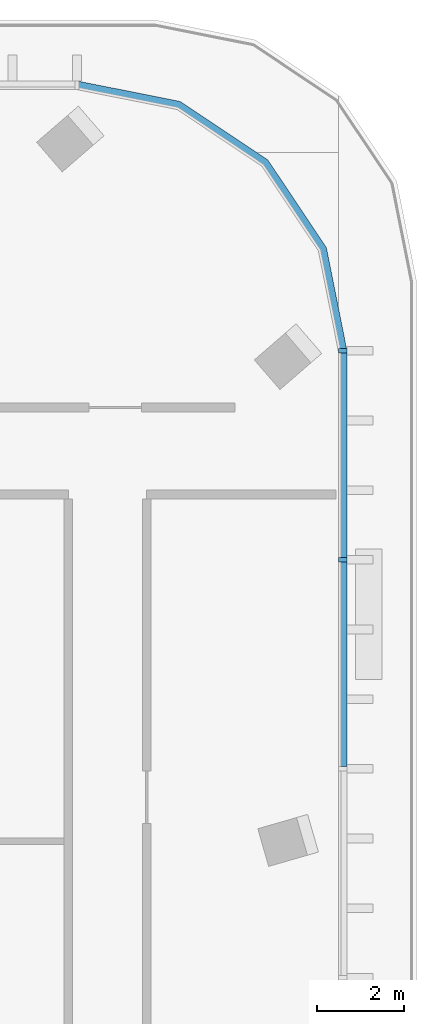
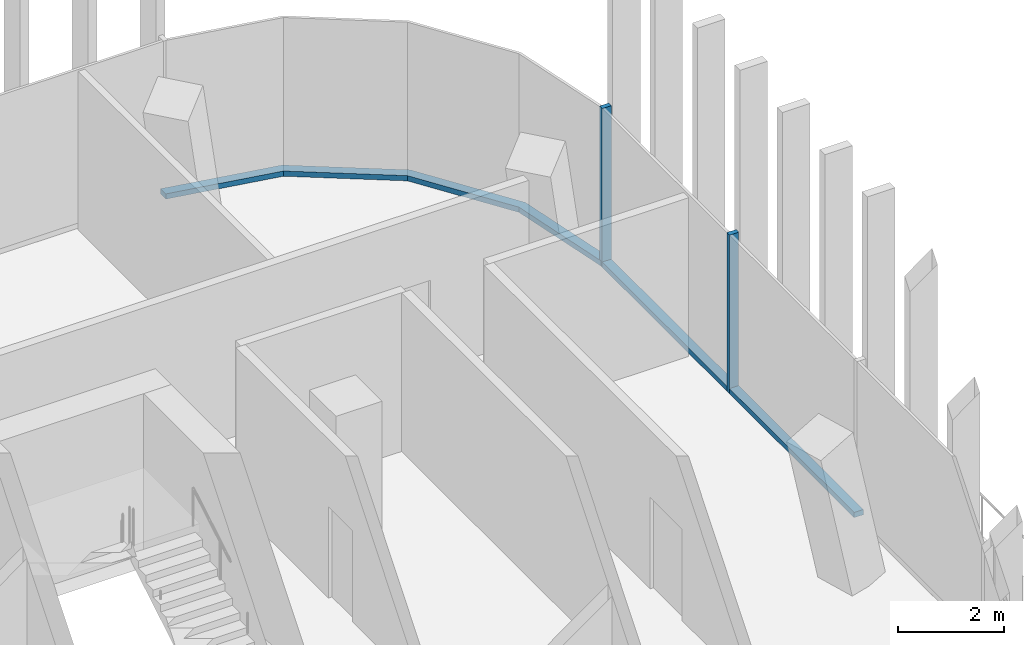
# One storey, part 5 of 15: 5 members, 2 elements without a shape of their own.
"""IFC4 building model written with IfcOpenShell, lengths in metres."""

from ifc_helpers import new_model, si_unit, direction, frame, origin, origin_2d, place, context, subcontext, project, spatial, polyline, rectangle, outline, extrude, material, material_profile, profile_set, type_object, element, aggregate, save


model = new_model("IFC4")

# Units and contexts
model_context = context("Model", 3, precision=1e-05, world=origin(), true_north=direction((0.0, 1.0)))
body_context = subcontext(model_context, "Body", "Model", "MODEL_VIEW")
ifc_project = project(units=[si_unit("LENGTHUNIT", "METRE"), si_unit("AREAUNIT", "SQUARE_METRE"), si_unit("VOLUMEUNIT", "CUBIC_METRE"), si_unit("PLANEANGLEUNIT", "RADIAN"), si_unit("MASSUNIT", "GRAM", prefix="KILO")], contexts=[model_context])

# Site, building, storey
site_placement = place(None, origin())
site = spatial("IfcSite", under=ifc_project, at=site_placement, CompositionType="ELEMENT")
building_placement = place(site_placement, origin())
building = spatial("IfcBuilding", under=site, at=building_placement, Name="Mopane Tessera Tower", CompositionType="ELEMENT")
storey_placement = place(building_placement, frame((0.0, 0.0, 329.39990234375)))
storey = spatial("IfcBuildingStorey", under=building, at=storey_placement, Name="L72", CompositionType="ELEMENT", Elevation=329.39990234375)

# Curtain wall, members
ifc_material_1 = material(Name="Aluminium frame", Category="aluminium")
curtain_wall_type = type_object("IfcCurtainWallType", Name="Unitised curtain wall", PredefinedType="NOTDEFINED", material=ifc_material_1)
curtain_wall_1_placement = place(storey_placement, origin())
curtain_wall_1 = element("IfcCurtainWall", 1, at=curtain_wall_1_placement, inside=storey, type_object=curtain_wall_type, Name="e:cw:L72:E:4", PredefinedType="NOTDEFINED")
ifc_material_2 = material(Name="Aluminium frame", Category="aluminium")
ifc_material_profile_1 = material_profile(ifc_material_2, rectangle(XDim=0.10009765625, YDim=0.199951171875, at=origin_2d()))
ifc_profile_set_1 = profile_set([ifc_material_profile_1], Name="Aluminium frame")
member_type_1 = type_object("IfcMemberType", Name="Aluminium mullion 100 x 200", PredefinedType="MULLION", material=ifc_profile_set_1)
member_1_placement = place(storey_placement, frame((26.10009765625, 12.0, 0.0), z_axis=(0.0, 0.0, 1.0), x_axis=(0.0, 1.0, 0.0)))
member_1 = element("IfcMember", 2, at=member_1_placement, type_object=member_type_1, Name="e:cw:L72:E:4:mu6", PredefinedType="MULLION", context=body_context, shape_type="SweptSolid", body=[
    extrude(rectangle(XDim=0.10009765625, YDim=0.199951171875, at=origin_2d()), origin(), (0.0, 0.0, 1.0), 3.650146484375),
])
member_2_placement = place(storey_placement, frame((26.10009765625, 16.800048828125, 0.0), z_axis=(0.0, 0.0, 1.0), x_axis=(0.0, 1.0, 0.0)))
member_2 = element("IfcMember", 3, at=member_2_placement, type_object=member_type_1, Name="e:cw:L72:E:4:mu7", PredefinedType="MULLION", context=body_context, shape_type="SweptSolid", body=[
    extrude(rectangle(XDim=0.10009765625, YDim=0.199951171875, at=origin_2d()), origin(), (0.0, 0.0, 1.0), 3.650146484375),
])
ifc_material_3 = material(Name="Aluminium frame", Category="aluminium")
ifc_material_profile_2 = material_profile(ifc_material_3, rectangle(XDim=0.199951171875, YDim=0.1201171875, at=origin_2d()))
ifc_profile_set_2 = profile_set([ifc_material_profile_2], Name="Aluminium frame")
member_type_2 = type_object("IfcMemberType", Name="Aluminium transom 200 x 120", PredefinedType="USERDEFINED", material=ifc_profile_set_2)
member_3_placement = place(storey_placement, frame((26.10009765625, 7.25, 0.06005859375), z_axis=(0.0, 1.0, 0.0), x_axis=(-1.0, 0.0, 0.0)))
member_3 = element("IfcMember", 4, at=member_3_placement, type_object=member_type_2, Name="e:cw:L72:E:4:tr5", ObjectType="TRANSOM", PredefinedType="USERDEFINED", context=body_context, shape_type="SweptSolid", body=[
    extrude(rectangle(XDim=0.199951171875, YDim=0.1201171875, at=origin_2d()), origin(), (0.0, 0.0, 1.0), 4.699951171875),
])
member_4_placement = place(storey_placement, frame((26.10009765625, 12.050048828125, 0.06005859375), z_axis=(0.0, 1.0, 0.0), x_axis=(-1.0, 0.0, 0.0)))
member_4 = element("IfcMember", 5, at=member_4_placement, type_object=member_type_2, Name="e:cw:L72:E:4:tr6", ObjectType="TRANSOM", PredefinedType="USERDEFINED", context=body_context, shape_type="SweptSolid", body=[
    extrude(rectangle(XDim=0.199951171875, YDim=0.1201171875, at=origin_2d()), origin(), (0.0, 0.0, 1.0), 4.699951171875),
])
aggregate(curtain_wall_1, [member_1, member_2, member_3, member_4])

# Curtain wall, member
curtain_wall_2_placement = place(storey_placement, origin())
curtain_wall_2 = element("IfcCurtainWall", 6, at=curtain_wall_2_placement, inside=storey, type_object=curtain_wall_type, Name="e:cw:L72:CE", PredefinedType="NOTDEFINED")
member_5_placement = place(storey_placement, origin())
member_5 = element("IfcMember", 7, at=member_5_placement, type_object=member_type_2, Name="e:cw:L72:CE:tr", ObjectType="TRANSOM", PredefinedType="USERDEFINED", context=body_context, shape_type="SweptSolid", body=[
    extrude(outline(polyline([(26.0, 16.800048828125), (25.543212890625, 19.09619140625), (24.24267578125, 21.042724609375), (22.296142578125, 22.34326171875), (20.0, 22.800048828125), (20.0, 23.0), (22.37255859375, 22.528076171875), (24.384033203125, 21.18408203125), (25.72802734375, 19.172607421875), (26.199951171875, 16.800048828125), (26.0, 16.800048828125)])), origin(), (0.0, 0.0, 1.0), 0.1201171875),
])
aggregate(curtain_wall_2, [member_5])

save(model, "model.ifc")
